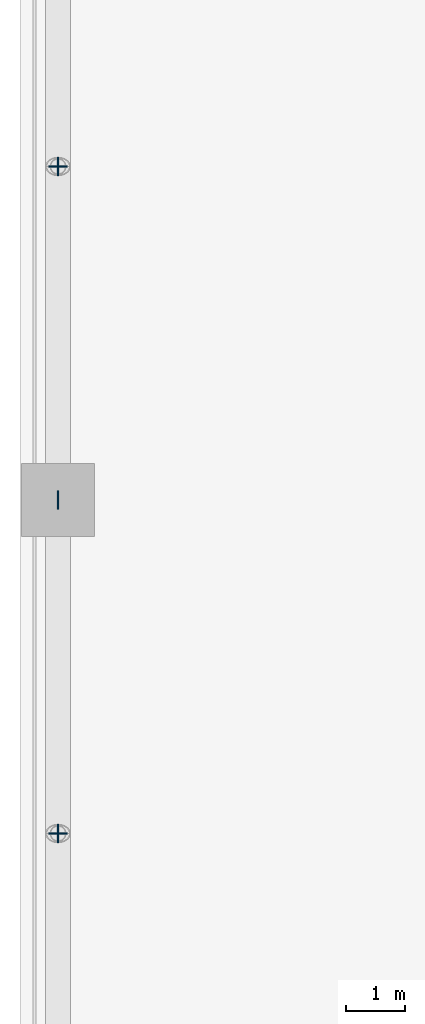
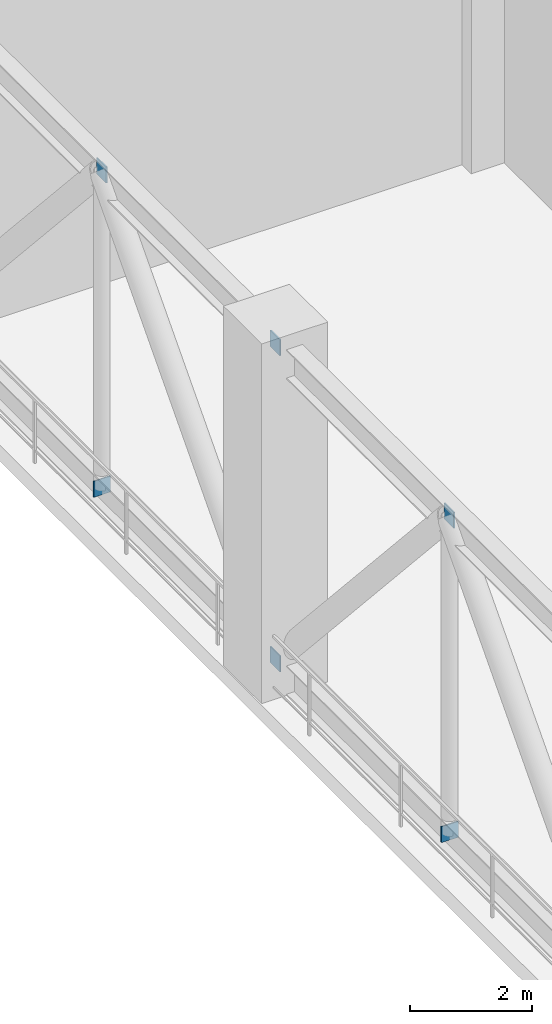
# One storey, part 14 of 20: 6 discrete accessories.
"""IFC4 building model written with IfcOpenShell, lengths in metres."""

from ifc_helpers import new_model, si_unit, direction, frame, origin, origin_2d, place, context, subcontext, project, spatial, rectangle, extrude, material, layer, layer_set, type_object, element, save


model = new_model("IFC4")

# Units and contexts
model_context = context("Model", 3, precision=1e-05, world=origin(), true_north=direction((0.0, 1.0)))
body_context = subcontext(model_context, "Body", "Model", "MODEL_VIEW")
ifc_project = project(units=[si_unit("LENGTHUNIT", "METRE"), si_unit("AREAUNIT", "SQUARE_METRE"), si_unit("VOLUMEUNIT", "CUBIC_METRE"), si_unit("PLANEANGLEUNIT", "RADIAN"), si_unit("MASSUNIT", "GRAM", prefix="KILO")], contexts=[model_context])

# Site, building, storey
site_placement = place(None, origin())
site = spatial("IfcSite", under=ifc_project, at=site_placement, CompositionType="ELEMENT")
building_placement = place(site_placement, origin())
building = spatial("IfcBuilding", under=site, at=building_placement, Name="Svetorya Sky Lyceum", CompositionType="ELEMENT")
storey_placement = place(building_placement, frame((0.0, 0.0, 76.89990234375)))
storey = spatial("IfcBuildingStorey", under=building, at=storey_placement, Name="L19", CompositionType="ELEMENT", Elevation=76.89990234375)

# Discrete accessories
ifc_material = material(Name="Steel S355", Category="steel")
ifc_layer = layer(ifc_material, 0.02392578125)
ifc_layer_set = layer_set([ifc_layer], Name="Steel S355")
discrete_accessory_type = type_object("IfcDiscreteAccessoryType", Name="ACC-GUSSET-24", PredefinedType="BRACKET", material=ifc_layer_set)
for number, where, z_axis, x_axis, name in (
    (1, (15.050048828125, 28.199951171875, 0.13525390625), (0.0, 0.0, 1.0), (1.0, 0.0, 0.0), "L19 Brace Node Gusset Plate 35"),
    (2, (15.050048828125, 28.199951171875, 6.46484375), (0.0, 0.0, 1.0), (1.0, 0.0, 0.0), "L19 Brace Node Gusset Plate 36"),
    (3, (15.050048828125, 22.5, 6.46484375), (0.0, 0.0, 1.0), (1.0, 0.0, 0.0), "L19 Brace Node Gusset Plate 37"),
):
    element("IfcDiscreteAccessory", number, at=place(storey_placement, frame(where, z_axis=z_axis, x_axis=x_axis)), inside=storey, type_object=discrete_accessory_type, Name=name, PredefinedType="BRACKET", context=body_context, shape_type="SweptSolid", body=[
        extrude(rectangle(XDim=0.02392578125, YDim=0.320068359375, at=origin_2d()), origin(), (0.0, 0.0, 1.0), 0.320068359375),
    ])
discrete_accessory_1_placement = place(storey_placement, frame((15.050048828125, 22.5, 0.13525390625), z_axis=(0.0, 0.0, 1.0), x_axis=(1.0, 0.0, 0.0)))
element("IfcDiscreteAccessory", 4, at=discrete_accessory_1_placement, inside=storey, type_object=discrete_accessory_type, Name="L19 Brace Node Gusset Plate 38", PredefinedType="BRACKET", context=body_context, shape_type="SweptSolid", body=[
    extrude(rectangle(XDim=0.320068359375, YDim=0.02392578125, at=origin_2d()), origin(), (0.0, 0.0, 1.0), 0.320068359375),
])
discrete_accessory_2_placement = place(storey_placement, frame((15.050048828125, 33.89990234375, 6.46484375), z_axis=(0.0, 0.0, 1.0), x_axis=(1.0, 0.0, 0.0)))
element("IfcDiscreteAccessory", 5, at=discrete_accessory_2_placement, inside=storey, type_object=discrete_accessory_type, Name="L19 Brace Node Gusset Plate 41", PredefinedType="BRACKET", context=body_context, shape_type="SweptSolid", body=[
    extrude(rectangle(XDim=0.02392578125, YDim=0.320068359375, at=origin_2d()), origin(), (0.0, 0.0, 1.0), 0.320068359375),
])
discrete_accessory_3_placement = place(storey_placement, frame((15.050048828125, 33.89990234375, 0.13525390625), z_axis=(0.0, 0.0, 1.0), x_axis=(1.0, 0.0, 0.0)))
element("IfcDiscreteAccessory", 6, at=discrete_accessory_3_placement, inside=storey, type_object=discrete_accessory_type, Name="L19 Brace Node Gusset Plate 42", PredefinedType="BRACKET", context=body_context, shape_type="SweptSolid", body=[
    extrude(rectangle(XDim=0.320068359375, YDim=0.02392578125, at=origin_2d()), origin(), (0.0, 0.0, 1.0), 0.320068359375),
])

save(model, "model.ifc")
